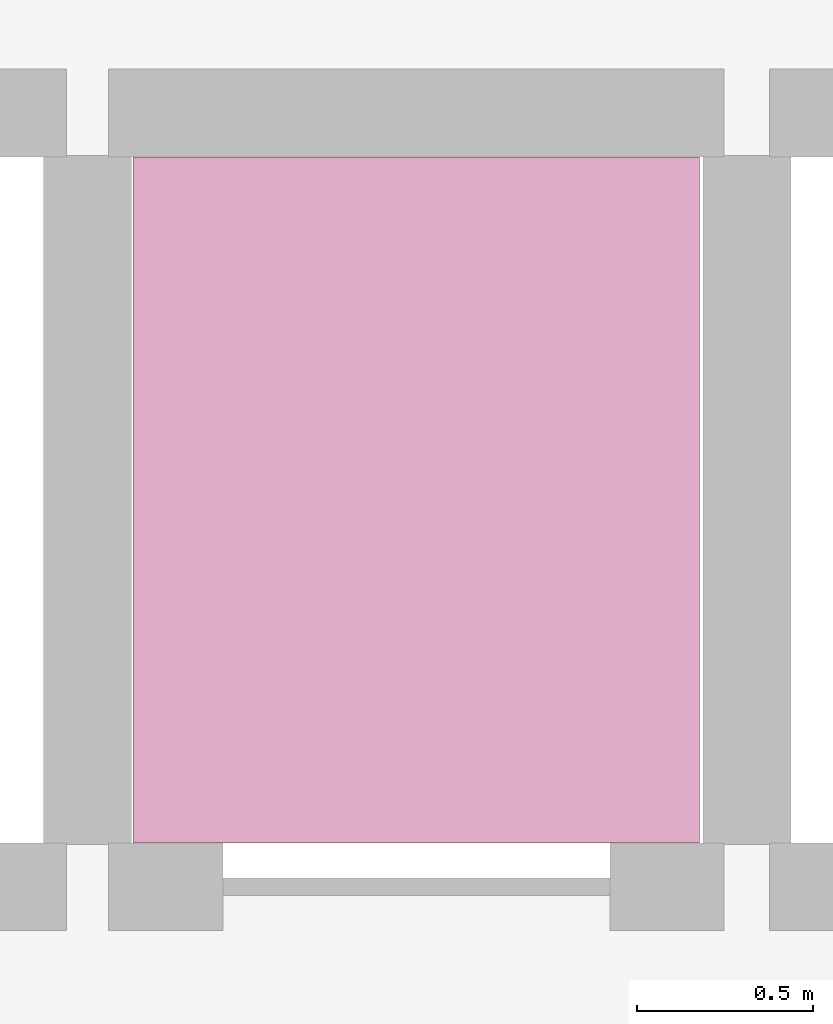
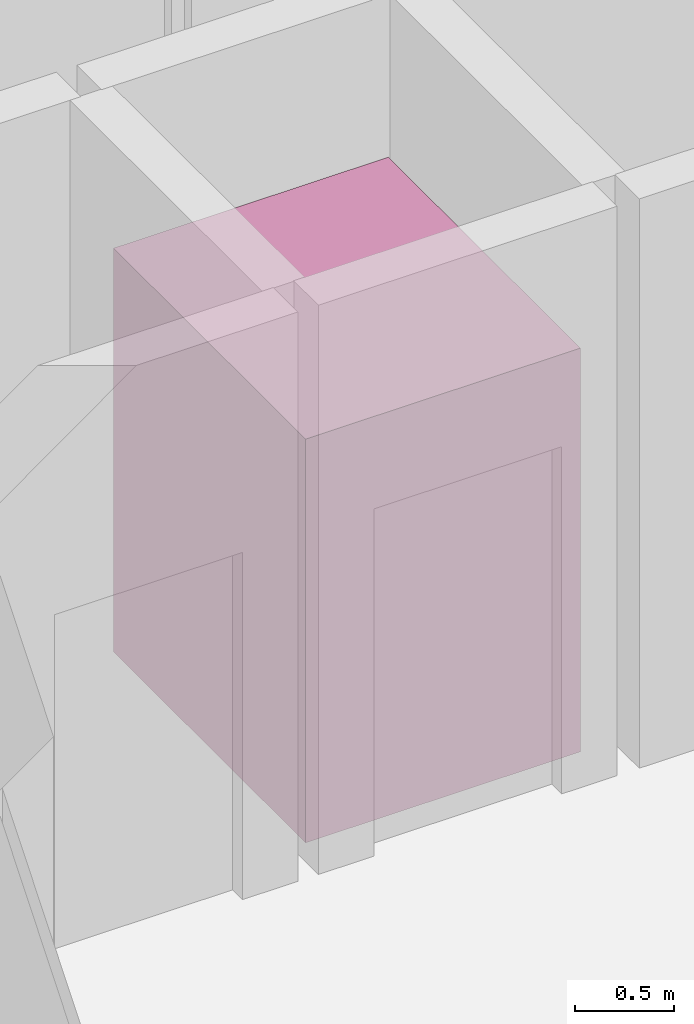
# One storey, part 10 of 10: 1 transport element.
"""IFC4 building model written with IfcOpenShell, lengths in metres."""

from ifc_helpers import new_model, si_unit, direction, frame, origin, origin_2d, place, context, subcontext, project, spatial, rectangle, extrude, material, type_object, element, save


model = new_model("IFC4")

# Units and contexts
model_context = context("Model", 3, precision=1e-05, world=origin(), true_north=direction((0.0, 1.0)))
body_context = subcontext(model_context, "Body", "Model", "MODEL_VIEW")
ifc_project = project(units=[si_unit("LENGTHUNIT", "METRE"), si_unit("AREAUNIT", "SQUARE_METRE"), si_unit("VOLUMEUNIT", "CUBIC_METRE"), si_unit("PLANEANGLEUNIT", "RADIAN"), si_unit("MASSUNIT", "GRAM", prefix="KILO")], contexts=[model_context])

# Site, building, storey
site_placement = place(None, origin())
site = spatial("IfcSite", under=ifc_project, at=site_placement, CompositionType="ELEMENT")
building_placement = place(site_placement, origin())
building = spatial("IfcBuilding", under=site, at=building_placement, Name="Zulverin Broadcast Headquarters", CompositionType="ELEMENT")
storey_placement = place(building_placement, frame((0.0, 0.0, 36.39990234375)))
storey = spatial("IfcBuildingStorey", under=building, at=storey_placement, Name="L08", CompositionType="ELEMENT", Elevation=36.39990234375)

# Transport element
ifc_material = material(Name="Stainless steel & laminated glass elevator car", Category="steel")
transport_element_type = type_object("IfcTransportElementType", Name="LFT-PASS-1600", PredefinedType="ELEVATOR", material=ifc_material)
transport_element_placement = place(storey_placement, frame((28.89501953125, 27.89990234375, 0.02001953125), z_axis=(0.0, 0.0, 1.0), x_axis=(1.0, 0.0, 0.0)))
element("IfcTransportElement", 1, at=transport_element_placement, inside=storey, type_object=transport_element_type, Name="Elevator Car PL-L2 (1600 kg, B2-L29)", PredefinedType="ELEVATOR", context=body_context, shape_type="SweptSolid", body=[
    extrude(rectangle(XDim=1.610107421875, YDim=1.949951171875, at=origin_2d()), origin(), (0.0, 0.0, 1.0), 2.5),
])

save(model, "model.ifc")
